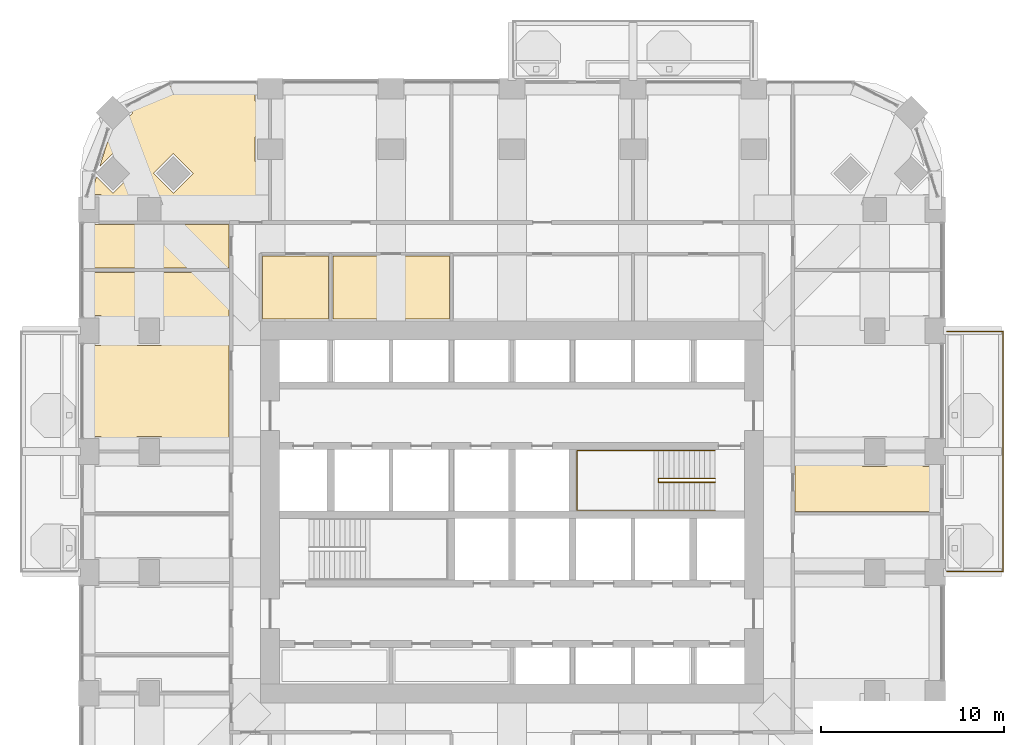
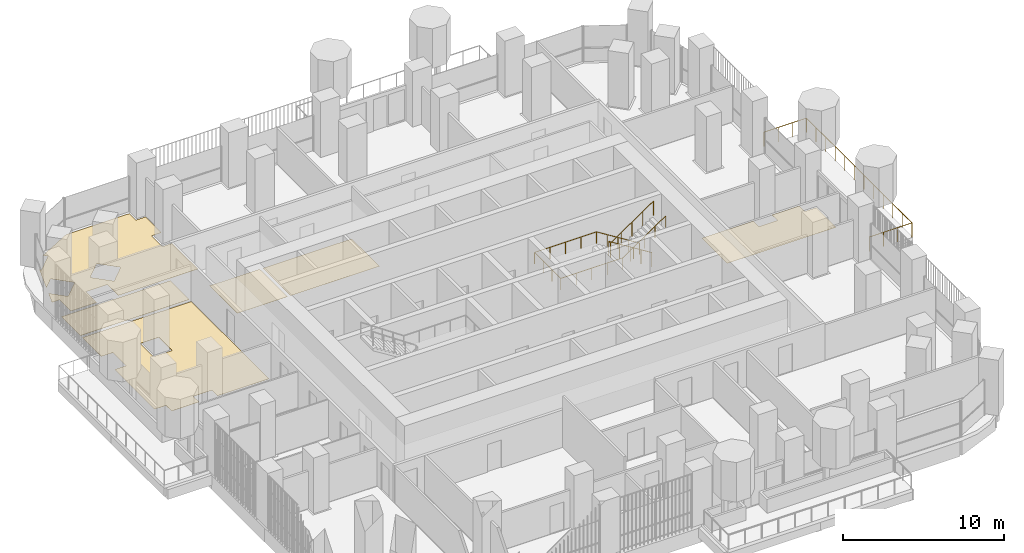
# One storey, part 21 of 23: 6 coverings, 3 railings.
"""IFC4 building model written with IfcOpenShell, lengths in metres."""

from ifc_helpers import new_model, si_unit, direction, frame, origin, place, context, subcontext, project, spatial, polyline, outline, extrude, material, layer, layer_set, type_object, element, save


model = new_model("IFC4")

# Units and contexts
model_context = context("Model", 3, precision=1e-05, world=origin(), true_north=direction((0.0, 1.0)))
body_context = subcontext(model_context, "Body", "Model", "MODEL_VIEW")
ifc_project = project(units=[si_unit("LENGTHUNIT", "METRE"), si_unit("AREAUNIT", "SQUARE_METRE"), si_unit("VOLUMEUNIT", "CUBIC_METRE"), si_unit("PLANEANGLEUNIT", "RADIAN"), si_unit("MASSUNIT", "GRAM", prefix="KILO")], contexts=[model_context])

# Site, building, storey
site_placement = place(None, origin())
site = spatial("IfcSite", under=ifc_project, at=site_placement, CompositionType="ELEMENT")
building_placement = place(site_placement, origin())
building = spatial("IfcBuilding", under=site, at=building_placement, Name="Cobogo Forest Laboratory Tower", CompositionType="ELEMENT")
storey_placement = place(building_placement, frame((0.0, 0.0, 128.39990234375)))
storey = spatial("IfcBuildingStorey", under=building, at=storey_placement, Name="L29", CompositionType="ELEMENT", Elevation=128.39990234375)

# Railing
ifc_material_1 = material(Name="Laminated glass balustrade", Category="glass")
railing_type_1 = type_object("IfcRailingType", Name="BG1 glass balustrade 1100", PredefinedType="GUARDRAIL", material=ifc_material_1)
railing_1_placement = place(storey_placement, frame((50.14990234375, 19.85009765625, 0.0)))
element("IfcRailing", 1, at=railing_1_placement, inside=storey, type_object=railing_type_1, Name="Balcony balustrade BAL-E1 L29", PredefinedType="GUARDRAIL", context=body_context, shape_type="SweptSolid", body=[
    extrude(outline(polyline([(0.022216796875, 0.00927734375), (0.00927734375, 0.022216796875), (-0.00927734375, 0.022216796875), (-0.022216796875, 0.00927734375), (-0.022216796875, -0.00927734375), (-0.00927734375, -0.022216796875), (0.00927734375, -0.022216796875), (0.022216796875, -0.00927734375), (0.022216796875, 0.00927734375)])), frame((0.0, 0.0, 1.077880859375), z_axis=(1.0, 0.0, 0.0), x_axis=(0.0, 1.0, 0.0)), (0.0, 0.0, 1.0), 3.050048828125),
    extrude(outline(polyline([(0.022216796875, 0.00927734375), (0.00927734375, 0.022216796875), (-0.00927734375, 0.022216796875), (-0.022216796875, 0.00927734375), (-0.022216796875, -0.00927734375), (-0.00927734375, -0.022216796875), (0.00927734375, -0.022216796875), (0.022216796875, -0.00927734375), (0.022216796875, 0.00927734375)])), frame((3.050048828125, 0.0, 1.077880859375), z_axis=(0.0, 1.0, 0.0), x_axis=(-1.0, 0.0, 0.0)), (0.0, 0.0, 1.0), 13.099853515625),
    extrude(outline(polyline([(0.022216796875, 0.00927734375), (0.00927734375, 0.022216796875), (-0.00927734375, 0.022216796875), (-0.022216796875, 0.00927734375), (-0.022216796875, -0.00927734375), (-0.00927734375, -0.022216796875), (0.00927734375, -0.022216796875), (0.022216796875, -0.00927734375), (0.022216796875, 0.00927734375)])), frame((3.050048828125, 13.099853515625, 1.077880859375), z_axis=(-1.0, 0.0, 0.0), x_axis=(0.0, -1.0, 0.0)), (0.0, 0.0, 1.0), 3.050048828125),
    extrude(outline(polyline([(0.019287109375, 0.008056640625), (0.008056640625, 0.019287109375), (-0.008056640625, 0.019287109375), (-0.019287109375, 0.008056640625), (-0.019287109375, -0.008056640625), (-0.008056640625, -0.019287109375), (0.008056640625, -0.019287109375), (0.019287109375, -0.008056640625), (0.019287109375, 0.008056640625)])), origin(), (0.0, 0.0, 1.0), 1.077880859375),
    extrude(outline(polyline([(0.019287109375, 0.008056640625), (0.008056640625, 0.019287109375), (-0.008056640625, 0.019287109375), (-0.019287109375, 0.008056640625), (-0.019287109375, -0.008056640625), (-0.008056640625, -0.019287109375), (0.008056640625, -0.019287109375), (0.019287109375, -0.008056640625), (0.019287109375, 0.008056640625)])), frame((1.0166015625, 0.0, 0.0)), (0.0, 0.0, 1.0), 1.077880859375),
    extrude(outline(polyline([(0.019287109375, 0.008056640625), (0.008056640625, 0.019287109375), (-0.008056640625, 0.019287109375), (-0.019287109375, 0.008056640625), (-0.019287109375, -0.008056640625), (-0.008056640625, -0.019287109375), (0.008056640625, -0.019287109375), (0.019287109375, -0.008056640625), (0.019287109375, 0.008056640625)])), frame((2.033447265625, 0.0, 0.0)), (0.0, 0.0, 1.0), 1.077880859375),
    extrude(outline(polyline([(0.019287109375, 0.008056640625), (0.008056640625, 0.019287109375), (-0.008056640625, 0.019287109375), (-0.019287109375, 0.008056640625), (-0.019287109375, -0.008056640625), (-0.008056640625, -0.019287109375), (0.008056640625, -0.019287109375), (0.019287109375, -0.008056640625), (0.019287109375, 0.008056640625)])), frame((3.050048828125, 0.0, 0.0)), (0.0, 0.0, 1.0), 1.077880859375),
    extrude(outline(polyline([(0.019287109375, 0.008056640625), (0.008056640625, 0.019287109375), (-0.008056640625, 0.019287109375), (-0.019287109375, 0.008056640625), (-0.019287109375, -0.008056640625), (-0.008056640625, -0.019287109375), (0.008056640625, -0.019287109375), (0.019287109375, -0.008056640625), (0.019287109375, 0.008056640625)])), frame((3.050048828125, 1.19091796875, 0.0)), (0.0, 0.0, 1.0), 1.077880859375),
    extrude(outline(polyline([(0.019287109375, 0.008056640625), (0.008056640625, 0.019287109375), (-0.008056640625, 0.019287109375), (-0.019287109375, 0.008056640625), (-0.019287109375, -0.008056640625), (-0.008056640625, -0.019287109375), (0.008056640625, -0.019287109375), (0.019287109375, -0.008056640625), (0.019287109375, 0.008056640625)])), frame((3.050048828125, 2.3818359375, 0.0)), (0.0, 0.0, 1.0), 1.077880859375),
    extrude(outline(polyline([(0.019287109375, 0.008056640625), (0.008056640625, 0.019287109375), (-0.008056640625, 0.019287109375), (-0.019287109375, 0.008056640625), (-0.019287109375, -0.008056640625), (-0.008056640625, -0.019287109375), (0.008056640625, -0.019287109375), (0.019287109375, -0.008056640625), (0.019287109375, 0.008056640625)])), frame((3.050048828125, 3.57275390625, 0.0)), (0.0, 0.0, 1.0), 1.077880859375),
    extrude(outline(polyline([(0.019287109375, 0.008056640625), (0.008056640625, 0.019287109375), (-0.008056640625, 0.019287109375), (-0.019287109375, 0.008056640625), (-0.019287109375, -0.008056640625), (-0.008056640625, -0.019287109375), (0.008056640625, -0.019287109375), (0.019287109375, -0.008056640625), (0.019287109375, 0.008056640625)])), frame((3.050048828125, 4.763671875, 0.0)), (0.0, 0.0, 1.0), 1.077880859375),
    extrude(outline(polyline([(0.019287109375, 0.008056640625), (0.008056640625, 0.019287109375), (-0.008056640625, 0.019287109375), (-0.019287109375, 0.008056640625), (-0.019287109375, -0.008056640625), (-0.008056640625, -0.019287109375), (0.008056640625, -0.019287109375), (0.019287109375, -0.008056640625), (0.019287109375, 0.008056640625)])), frame((3.050048828125, 5.95458984375, 0.0)), (0.0, 0.0, 1.0), 1.077880859375),
    extrude(outline(polyline([(0.019287109375, 0.008056640625), (0.008056640625, 0.019287109375), (-0.008056640625, 0.019287109375), (-0.019287109375, 0.008056640625), (-0.019287109375, -0.008056640625), (-0.008056640625, -0.019287109375), (0.008056640625, -0.019287109375), (0.019287109375, -0.008056640625), (0.019287109375, 0.008056640625)])), frame((3.050048828125, 7.145263671875, 0.0)), (0.0, 0.0, 1.0), 1.077880859375),
    extrude(outline(polyline([(0.019287109375, 0.008056640625), (0.008056640625, 0.019287109375), (-0.008056640625, 0.019287109375), (-0.019287109375, 0.008056640625), (-0.019287109375, -0.008056640625), (-0.008056640625, -0.019287109375), (0.008056640625, -0.019287109375), (0.019287109375, -0.008056640625), (0.019287109375, 0.008056640625)])), frame((3.050048828125, 8.336181640625, 0.0)), (0.0, 0.0, 1.0), 1.077880859375),
    extrude(outline(polyline([(0.019287109375, 0.008056640625), (0.008056640625, 0.019287109375), (-0.008056640625, 0.019287109375), (-0.019287109375, 0.008056640625), (-0.019287109375, -0.008056640625), (-0.008056640625, -0.019287109375), (0.008056640625, -0.019287109375), (0.019287109375, -0.008056640625), (0.019287109375, 0.008056640625)])), frame((3.050048828125, 9.527099609375, 0.0)), (0.0, 0.0, 1.0), 1.077880859375),
    extrude(outline(polyline([(0.019287109375, 0.008056640625), (0.008056640625, 0.019287109375), (-0.008056640625, 0.019287109375), (-0.019287109375, 0.008056640625), (-0.019287109375, -0.008056640625), (-0.008056640625, -0.019287109375), (0.008056640625, -0.019287109375), (0.019287109375, -0.008056640625), (0.019287109375, 0.008056640625)])), frame((3.050048828125, 10.718017578125, 0.0)), (0.0, 0.0, 1.0), 1.077880859375),
    extrude(outline(polyline([(0.019287109375, 0.008056640625), (0.008056640625, 0.019287109375), (-0.008056640625, 0.019287109375), (-0.019287109375, 0.008056640625), (-0.019287109375, -0.008056640625), (-0.008056640625, -0.019287109375), (0.008056640625, -0.019287109375), (0.019287109375, -0.008056640625), (0.019287109375, 0.008056640625)])), frame((3.050048828125, 11.908935546875, 0.0)), (0.0, 0.0, 1.0), 1.077880859375),
    extrude(outline(polyline([(0.019287109375, 0.008056640625), (0.008056640625, 0.019287109375), (-0.008056640625, 0.019287109375), (-0.019287109375, 0.008056640625), (-0.019287109375, -0.008056640625), (-0.008056640625, -0.019287109375), (0.008056640625, -0.019287109375), (0.019287109375, -0.008056640625), (0.019287109375, 0.008056640625)])), frame((3.050048828125, 13.099853515625, 0.0)), (0.0, 0.0, 1.0), 1.077880859375),
    extrude(outline(polyline([(0.019287109375, 0.008056640625), (0.008056640625, 0.019287109375), (-0.008056640625, 0.019287109375), (-0.019287109375, 0.008056640625), (-0.019287109375, -0.008056640625), (-0.008056640625, -0.019287109375), (0.008056640625, -0.019287109375), (0.019287109375, -0.008056640625), (0.019287109375, 0.008056640625)])), frame((2.033447265625, 13.099853515625, 0.0)), (0.0, 0.0, 1.0), 1.077880859375),
    extrude(outline(polyline([(0.019287109375, 0.008056640625), (0.008056640625, 0.019287109375), (-0.008056640625, 0.019287109375), (-0.019287109375, 0.008056640625), (-0.019287109375, -0.008056640625), (-0.008056640625, -0.019287109375), (0.008056640625, -0.019287109375), (0.019287109375, -0.008056640625), (0.019287109375, 0.008056640625)])), frame((1.0166015625, 13.099853515625, 0.0)), (0.0, 0.0, 1.0), 1.077880859375),
    extrude(outline(polyline([(0.019287109375, 0.008056640625), (0.008056640625, 0.019287109375), (-0.008056640625, 0.019287109375), (-0.019287109375, 0.008056640625), (-0.019287109375, -0.008056640625), (-0.008056640625, -0.019287109375), (0.008056640625, -0.019287109375), (0.019287109375, -0.008056640625), (0.019287109375, 0.008056640625)])), frame((0.0, 13.099853515625, 0.0)), (0.0, 0.0, 1.0), 1.077880859375),
])

# Coverings
ifc_material_2 = material(Name="Carpet tile on raised access floor", Category="flooring")
ifc_layer_1 = layer(ifc_material_2, 0.008056640625)
ifc_layer_set_1 = layer_set([ifc_layer_1], Name="CT1 carpet tile floor 8")
covering_type_1 = type_object("IfcCoveringType", Name="CT1 carpet tile floor 8", PredefinedType="FLOORING", material=ifc_layer_set_1)
covering_1_placement = place(storey_placement, origin())
element("IfcCovering", 2, at=covering_1_placement, inside=storey, type_object=covering_type_1, Name="Carpet floor L29-28", PredefinedType="FLOORING", context=body_context, shape_type="SweptSolid", body=[
    extrude(outline(polyline([(10.955078125, 26.52001953125), (7.27001953125, 26.52001953125), (7.27001953125, 27.219970703125), (5.929931640625, 27.219970703125), (5.929931640625, 26.52001953125), (3.969970703125, 26.52001953125), (3.969970703125, 27.219970703125), (3.14990234375, 27.219970703125), (3.14990234375, 32.179931640625), (3.969970703125, 32.179931640625), (3.969970703125, 33.820068359375), (3.14990234375, 33.820068359375), (3.14990234375, 36.179931640625), (10.955078125, 36.179931640625), (10.955078125, 26.52001953125)]), holes=[polyline([(5.929931640625, 32.179931640625), (7.27001953125, 32.179931640625), (7.27001953125, 33.820068359375), (5.929931640625, 33.820068359375), (5.929931640625, 32.179931640625)])]), origin(), (0.0, 0.0, 1.0), 0.008056640625),
])
covering_2_placement = place(storey_placement, origin())
element("IfcCovering", 3, at=covering_2_placement, inside=storey, type_object=covering_type_1, Name="Carpet floor L29-29", PredefinedType="FLOORING", context=body_context, shape_type="SweptSolid", body=[
    extrude(outline(polyline([(10.955078125, 36.419921875), (3.14990234375, 36.419921875), (3.14990234375, 38.780029296875), (10.955078125, 38.780029296875), (10.955078125, 36.419921875)])), origin(), (0.0, 0.0, 1.0), 0.008056640625),
])

# Railings
ifc_material_3 = material(Name="Steel balustrade", Category="steel")
railing_type_2 = type_object("IfcRailingType", Name="GR stair guard 1100", PredefinedType="GUARDRAIL", material=ifc_material_3)
railing_2_placement = place(storey_placement, frame((37.47509765625, 24.929931640625, 0.175048828125)))
element("IfcRailing", 4, at=railing_2_placement, inside=storey, type_object=railing_type_2, Name="Stair guard ST2 L29", PredefinedType="GUARDRAIL", context=body_context, shape_type="SweptSolid", body=[
    extrude(outline(polyline([(0.022216796875, 0.00927734375), (0.00927734375, 0.022216796875), (-0.00927734375, 0.022216796875), (-0.022216796875, 0.00927734375), (-0.022216796875, -0.00927734375), (-0.00927734375, -0.022216796875), (0.00927734375, -0.022216796875), (0.022216796875, -0.00927734375), (0.022216796875, 0.00927734375)])), frame((0.0, 0.0, 1.077880859375), z_axis=(-0.847998304005, 0.0, 0.529998940003), x_axis=(0.0, -1.0, 0.0)), (0.0, 0.0, 1.0), 3.632080078125),
    extrude(outline(polyline([(0.022216796875, 0.00927734375), (0.00927734375, 0.022216796875), (-0.00927734375, 0.022216796875), (-0.022216796875, 0.00927734375), (-0.022216796875, -0.00927734375), (-0.00927734375, -0.022216796875), (0.00927734375, -0.022216796875), (0.022216796875, -0.00927734375), (0.022216796875, 0.00927734375)])), frame((-3.080078125, 0.0, 3.0029296875), z_axis=(0.0, -1.0, 0.0), x_axis=(1.0, 0.0, 0.0)), (0.0, 0.0, 1.0), 0.2099609375),
    extrude(outline(polyline([(0.022216796875, 0.00927734375), (0.00927734375, 0.022216796875), (-0.00927734375, 0.022216796875), (-0.022216796875, 0.00927734375), (-0.022216796875, -0.00927734375), (-0.00927734375, -0.022216796875), (0.00927734375, -0.022216796875), (0.022216796875, -0.00927734375), (0.022216796875, 0.00927734375)])), frame((-3.080078125, -0.2099609375, 3.0029296875), z_axis=(0.826221800596, 0.0, 0.563344953133), x_axis=(0.0, 1.0, 0.0)), (0.0, 0.0, 1.0), 3.72802734375),
    extrude(outline(polyline([(0.019287109375, 0.008056640625), (0.008056640625, 0.019287109375), (-0.008056640625, 0.019287109375), (-0.019287109375, 0.008056640625), (-0.019287109375, -0.008056640625), (-0.008056640625, -0.019287109375), (0.008056640625, -0.019287109375), (0.019287109375, -0.008056640625), (0.019287109375, 0.008056640625)])), origin(), (0.0, 0.0, 1.0), 1.077880859375),
    extrude(outline(polyline([(0.019287109375, 0.008056640625), (0.008056640625, 0.019287109375), (-0.008056640625, 0.019287109375), (-0.019287109375, 0.008056640625), (-0.019287109375, -0.008056640625), (-0.008056640625, -0.019287109375), (0.008056640625, -0.019287109375), (0.019287109375, -0.008056640625), (0.019287109375, 0.008056640625)])), frame((-0.77001953125, 0.0, 0.481201171875)), (0.0, 0.0, 1.0), 1.077880859375),
    extrude(outline(polyline([(0.019287109375, 0.008056640625), (0.008056640625, 0.019287109375), (-0.008056640625, 0.019287109375), (-0.019287109375, 0.008056640625), (-0.019287109375, -0.008056640625), (-0.008056640625, -0.019287109375), (0.008056640625, -0.019287109375), (0.019287109375, -0.008056640625), (0.019287109375, 0.008056640625)])), frame((-1.5400390625, 0.0, 0.96240234375)), (0.0, 0.0, 1.0), 1.077880859375),
    extrude(outline(polyline([(0.019287109375, 0.008056640625), (0.008056640625, 0.019287109375), (-0.008056640625, 0.019287109375), (-0.019287109375, 0.008056640625), (-0.019287109375, -0.008056640625), (-0.008056640625, -0.019287109375), (0.008056640625, -0.019287109375), (0.019287109375, -0.008056640625), (0.019287109375, 0.008056640625)])), frame((-2.31005859375, 0.0, 1.44384765625)), (0.0, 0.0, 1.0), 1.077880859375),
    extrude(outline(polyline([(0.019287109375, 0.008056640625), (0.008056640625, 0.019287109375), (-0.008056640625, 0.019287109375), (-0.019287109375, 0.008056640625), (-0.019287109375, -0.008056640625), (-0.008056640625, -0.019287109375), (0.008056640625, -0.019287109375), (0.019287109375, -0.008056640625), (0.019287109375, 0.008056640625)])), frame((-3.080078125, 0.0, 1.925048828125)), (0.0, 0.0, 1.0), 1.077880859375),
    extrude(outline(polyline([(0.019287109375, 0.008056640625), (0.008056640625, 0.019287109375), (-0.008056640625, 0.019287109375), (-0.019287109375, 0.008056640625), (-0.019287109375, -0.008056640625), (-0.008056640625, -0.019287109375), (0.008056640625, -0.019287109375), (0.019287109375, -0.008056640625), (0.019287109375, 0.008056640625)])), frame((-3.080078125, -0.2099609375, 1.925048828125)), (0.0, 0.0, 1.0), 1.077880859375),
    extrude(outline(polyline([(0.019287109375, 0.008056640625), (0.008056640625, 0.019287109375), (-0.008056640625, 0.019287109375), (-0.019287109375, 0.008056640625), (-0.019287109375, -0.008056640625), (-0.008056640625, -0.019287109375), (0.008056640625, -0.019287109375), (0.019287109375, -0.008056640625), (0.019287109375, 0.008056640625)])), frame((-2.31005859375, -0.2099609375, 2.4501953125)), (0.0, 0.0, 1.0), 1.077880859375),
    extrude(outline(polyline([(0.019287109375, 0.008056640625), (0.008056640625, 0.019287109375), (-0.008056640625, 0.019287109375), (-0.019287109375, 0.008056640625), (-0.019287109375, -0.008056640625), (-0.008056640625, -0.019287109375), (0.008056640625, -0.019287109375), (0.019287109375, -0.008056640625), (0.019287109375, 0.008056640625)])), frame((-1.5400390625, -0.2099609375, 2.97509765625)), (0.0, 0.0, 1.0), 1.077880859375),
    extrude(outline(polyline([(0.019287109375, 0.008056640625), (0.008056640625, 0.019287109375), (-0.008056640625, 0.019287109375), (-0.019287109375, 0.008056640625), (-0.019287109375, -0.008056640625), (-0.008056640625, -0.019287109375), (0.008056640625, -0.019287109375), (0.019287109375, -0.008056640625), (0.019287109375, 0.008056640625)])), frame((-0.77001953125, -0.2099609375, 3.5)), (0.0, 0.0, 1.0), 1.077880859375),
    extrude(outline(polyline([(0.019287109375, 0.008056640625), (0.008056640625, 0.019287109375), (-0.008056640625, 0.019287109375), (-0.019287109375, 0.008056640625), (-0.019287109375, -0.008056640625), (-0.008056640625, -0.019287109375), (0.008056640625, -0.019287109375), (0.019287109375, -0.008056640625), (0.019287109375, 0.008056640625)])), frame((0.0, -0.2099609375, 4.025146484375)), (0.0, 0.0, 1.0), 1.077880859375),
])
ifc_material_4 = material(Name="Stainless steel handrail", Category="steel")
railing_type_3 = type_object("IfcRailingType", Name="HR handrail 900", PredefinedType="HANDRAIL", material=ifc_material_4)
railing_3_placement = place(storey_placement, frame((37.47509765625, 26.449951171875, 0.175048828125)))
element("IfcRailing", 5, at=railing_3_placement, inside=storey, type_object=railing_type_3, Name="Stair handrail ST2 L29", PredefinedType="HANDRAIL", context=body_context, shape_type="SweptSolid", body=[
    extrude(outline(polyline([(0.022216796875, 0.00927734375), (0.00927734375, 0.022216796875), (-0.00927734375, 0.022216796875), (-0.022216796875, 0.00927734375), (-0.022216796875, -0.00927734375), (-0.00927734375, -0.022216796875), (0.00927734375, -0.022216796875), (0.022216796875, -0.00927734375), (0.022216796875, 0.00927734375)])), frame((0.0, 0.0, 0.877685546875), z_axis=(-0.847998304005, 0.0, 0.529998940003), x_axis=(0.0, -1.0, 0.0)), (0.0, 0.0, 1.0), 3.632080078125),
    extrude(outline(polyline([(0.022216796875, 0.00927734375), (0.00927734375, 0.022216796875), (-0.00927734375, 0.022216796875), (-0.022216796875, 0.00927734375), (-0.022216796875, -0.00927734375), (-0.00927734375, -0.022216796875), (0.00927734375, -0.022216796875), (0.022216796875, -0.00927734375), (0.022216796875, 0.00927734375)])), frame((-3.080078125, 0.0, 2.802734375), z_axis=(-1.0, 0.0, 0.0), x_axis=(0.0, -1.0, 0.0)), (0.0, 0.0, 1.0), 4.445068359375),
    extrude(outline(polyline([(0.022216796875, 0.00927734375), (0.00927734375, 0.022216796875), (-0.00927734375, 0.022216796875), (-0.022216796875, 0.00927734375), (-0.022216796875, -0.00927734375), (-0.00927734375, -0.022216796875), (0.00927734375, -0.022216796875), (0.022216796875, -0.00927734375), (0.022216796875, 0.00927734375)])), frame((-7.525146484375, 0.0, 2.802734375), z_axis=(0.0, -1.0, 0.0), x_axis=(1.0, 0.0, 0.0)), (0.0, 0.0, 1.0), 3.25),
    extrude(outline(polyline([(0.022216796875, 0.00927734375), (0.00927734375, 0.022216796875), (-0.00927734375, 0.022216796875), (-0.022216796875, 0.00927734375), (-0.022216796875, -0.00927734375), (-0.00927734375, -0.022216796875), (0.00927734375, -0.022216796875), (0.022216796875, -0.00927734375), (0.022216796875, 0.00927734375)])), frame((-7.525146484375, -3.25, 2.802734375), z_axis=(1.0, 0.0, 0.0), x_axis=(0.0, 1.0, 0.0)), (0.0, 0.0, 1.0), 4.445068359375),
    extrude(outline(polyline([(0.022216796875, 0.00927734375), (0.00927734375, 0.022216796875), (-0.00927734375, 0.022216796875), (-0.022216796875, 0.00927734375), (-0.022216796875, -0.00927734375), (-0.00927734375, -0.022216796875), (0.00927734375, -0.022216796875), (0.022216796875, -0.00927734375), (0.022216796875, 0.00927734375)])), frame((-3.080078125, -3.25, 2.802734375), z_axis=(0.826221800596, 0.0, 0.563344953133), x_axis=(0.0, 1.0, 0.0)), (0.0, 0.0, 1.0), 3.72802734375),
    extrude(outline(polyline([(0.019287109375, 0.008056640625), (0.008056640625, 0.019287109375), (-0.008056640625, 0.019287109375), (-0.019287109375, 0.008056640625), (-0.019287109375, -0.008056640625), (-0.008056640625, -0.019287109375), (0.008056640625, -0.019287109375), (0.019287109375, -0.008056640625), (0.019287109375, 0.008056640625)])), origin(), (0.0, 0.0, 1.0), 0.877685546875),
    extrude(outline(polyline([(0.019287109375, 0.008056640625), (0.008056640625, 0.019287109375), (-0.008056640625, 0.019287109375), (-0.019287109375, 0.008056640625), (-0.019287109375, -0.008056640625), (-0.008056640625, -0.019287109375), (0.008056640625, -0.019287109375), (0.019287109375, -0.008056640625), (0.019287109375, 0.008056640625)])), frame((-0.77001953125, 0.0, 0.481201171875)), (0.0, 0.0, 1.0), 0.877685546875),
    extrude(outline(polyline([(0.019287109375, 0.008056640625), (0.008056640625, 0.019287109375), (-0.008056640625, 0.019287109375), (-0.019287109375, 0.008056640625), (-0.019287109375, -0.008056640625), (-0.008056640625, -0.019287109375), (0.008056640625, -0.019287109375), (0.019287109375, -0.008056640625), (0.019287109375, 0.008056640625)])), frame((-1.5400390625, 0.0, 0.96240234375)), (0.0, 0.0, 1.0), 0.877685546875),
    extrude(outline(polyline([(0.019287109375, 0.008056640625), (0.008056640625, 0.019287109375), (-0.008056640625, 0.019287109375), (-0.019287109375, 0.008056640625), (-0.019287109375, -0.008056640625), (-0.008056640625, -0.019287109375), (0.008056640625, -0.019287109375), (0.019287109375, -0.008056640625), (0.019287109375, 0.008056640625)])), frame((-2.31005859375, 0.0, 1.44384765625)), (0.0, 0.0, 1.0), 0.877685546875),
    extrude(outline(polyline([(0.019287109375, 0.008056640625), (0.008056640625, 0.019287109375), (-0.008056640625, 0.019287109375), (-0.019287109375, 0.008056640625), (-0.019287109375, -0.008056640625), (-0.008056640625, -0.019287109375), (0.008056640625, -0.019287109375), (0.019287109375, -0.008056640625), (0.019287109375, 0.008056640625)])), frame((-3.080078125, 0.0, 1.925048828125)), (0.0, 0.0, 1.0), 0.877685546875),
    extrude(outline(polyline([(0.019287109375, 0.008056640625), (0.008056640625, 0.019287109375), (-0.008056640625, 0.019287109375), (-0.019287109375, 0.008056640625), (-0.019287109375, -0.008056640625), (-0.008056640625, -0.019287109375), (0.008056640625, -0.019287109375), (0.019287109375, -0.008056640625), (0.019287109375, 0.008056640625)])), frame((-4.19140625, 0.0, 1.925048828125)), (0.0, 0.0, 1.0), 0.877685546875),
    extrude(outline(polyline([(0.019287109375, 0.008056640625), (0.008056640625, 0.019287109375), (-0.008056640625, 0.019287109375), (-0.019287109375, 0.008056640625), (-0.019287109375, -0.008056640625), (-0.008056640625, -0.019287109375), (0.008056640625, -0.019287109375), (0.019287109375, -0.008056640625), (0.019287109375, 0.008056640625)])), frame((-5.302734375, 0.0, 1.925048828125)), (0.0, 0.0, 1.0), 0.877685546875),
    extrude(outline(polyline([(0.019287109375, 0.008056640625), (0.008056640625, 0.019287109375), (-0.008056640625, 0.019287109375), (-0.019287109375, 0.008056640625), (-0.019287109375, -0.008056640625), (-0.008056640625, -0.019287109375), (0.008056640625, -0.019287109375), (0.019287109375, -0.008056640625), (0.019287109375, 0.008056640625)])), frame((-6.413818359375, 0.0, 1.925048828125)), (0.0, 0.0, 1.0), 0.877685546875),
    extrude(outline(polyline([(0.019287109375, 0.008056640625), (0.008056640625, 0.019287109375), (-0.008056640625, 0.019287109375), (-0.019287109375, 0.008056640625), (-0.019287109375, -0.008056640625), (-0.008056640625, -0.019287109375), (0.008056640625, -0.019287109375), (0.019287109375, -0.008056640625), (0.019287109375, 0.008056640625)])), frame((-7.525146484375, 0.0, 1.925048828125)), (0.0, 0.0, 1.0), 0.877685546875),
    extrude(outline(polyline([(0.019287109375, 0.008056640625), (0.008056640625, 0.019287109375), (-0.008056640625, 0.019287109375), (-0.019287109375, 0.008056640625), (-0.019287109375, -0.008056640625), (-0.008056640625, -0.019287109375), (0.008056640625, -0.019287109375), (0.019287109375, -0.008056640625), (0.019287109375, 0.008056640625)])), frame((-7.525146484375, -1.083251953125, 1.925048828125)), (0.0, 0.0, 1.0), 0.877685546875),
    extrude(outline(polyline([(0.019287109375, 0.008056640625), (0.008056640625, 0.019287109375), (-0.008056640625, 0.019287109375), (-0.019287109375, 0.008056640625), (-0.019287109375, -0.008056640625), (-0.008056640625, -0.019287109375), (0.008056640625, -0.019287109375), (0.019287109375, -0.008056640625), (0.019287109375, 0.008056640625)])), frame((-7.525146484375, -2.166748046875, 1.925048828125)), (0.0, 0.0, 1.0), 0.877685546875),
    extrude(outline(polyline([(0.019287109375, 0.008056640625), (0.008056640625, 0.019287109375), (-0.008056640625, 0.019287109375), (-0.019287109375, 0.008056640625), (-0.019287109375, -0.008056640625), (-0.008056640625, -0.019287109375), (0.008056640625, -0.019287109375), (0.019287109375, -0.008056640625), (0.019287109375, 0.008056640625)])), frame((-7.525146484375, -3.25, 1.925048828125)), (0.0, 0.0, 1.0), 0.877685546875),
    extrude(outline(polyline([(0.019287109375, 0.008056640625), (0.008056640625, 0.019287109375), (-0.008056640625, 0.019287109375), (-0.019287109375, 0.008056640625), (-0.019287109375, -0.008056640625), (-0.008056640625, -0.019287109375), (0.008056640625, -0.019287109375), (0.019287109375, -0.008056640625), (0.019287109375, 0.008056640625)])), frame((-6.413818359375, -3.25, 1.925048828125)), (0.0, 0.0, 1.0), 0.877685546875),
    extrude(outline(polyline([(0.019287109375, 0.008056640625), (0.008056640625, 0.019287109375), (-0.008056640625, 0.019287109375), (-0.019287109375, 0.008056640625), (-0.019287109375, -0.008056640625), (-0.008056640625, -0.019287109375), (0.008056640625, -0.019287109375), (0.019287109375, -0.008056640625), (0.019287109375, 0.008056640625)])), frame((-5.302734375, -3.25, 1.925048828125)), (0.0, 0.0, 1.0), 0.877685546875),
    extrude(outline(polyline([(0.019287109375, 0.008056640625), (0.008056640625, 0.019287109375), (-0.008056640625, 0.019287109375), (-0.019287109375, 0.008056640625), (-0.019287109375, -0.008056640625), (-0.008056640625, -0.019287109375), (0.008056640625, -0.019287109375), (0.019287109375, -0.008056640625), (0.019287109375, 0.008056640625)])), frame((-4.19140625, -3.25, 1.925048828125)), (0.0, 0.0, 1.0), 0.877685546875),
    extrude(outline(polyline([(0.019287109375, 0.008056640625), (0.008056640625, 0.019287109375), (-0.008056640625, 0.019287109375), (-0.019287109375, 0.008056640625), (-0.019287109375, -0.008056640625), (-0.008056640625, -0.019287109375), (0.008056640625, -0.019287109375), (0.019287109375, -0.008056640625), (0.019287109375, 0.008056640625)])), frame((-3.080078125, -3.25, 1.925048828125)), (0.0, 0.0, 1.0), 0.877685546875),
    extrude(outline(polyline([(0.019287109375, 0.008056640625), (0.008056640625, 0.019287109375), (-0.008056640625, 0.019287109375), (-0.019287109375, 0.008056640625), (-0.019287109375, -0.008056640625), (-0.008056640625, -0.019287109375), (0.008056640625, -0.019287109375), (0.019287109375, -0.008056640625), (0.019287109375, 0.008056640625)])), frame((-2.31005859375, -3.25, 2.4501953125)), (0.0, 0.0, 1.0), 0.877685546875),
    extrude(outline(polyline([(0.019287109375, 0.008056640625), (0.008056640625, 0.019287109375), (-0.008056640625, 0.019287109375), (-0.019287109375, 0.008056640625), (-0.019287109375, -0.008056640625), (-0.008056640625, -0.019287109375), (0.008056640625, -0.019287109375), (0.019287109375, -0.008056640625), (0.019287109375, 0.008056640625)])), frame((-1.5400390625, -3.25, 2.97509765625)), (0.0, 0.0, 1.0), 0.877685546875),
    extrude(outline(polyline([(0.019287109375, 0.008056640625), (0.008056640625, 0.019287109375), (-0.008056640625, 0.019287109375), (-0.019287109375, 0.008056640625), (-0.019287109375, -0.008056640625), (-0.008056640625, -0.019287109375), (0.008056640625, -0.019287109375), (0.019287109375, -0.008056640625), (0.019287109375, 0.008056640625)])), frame((-0.77001953125, -3.25, 3.5)), (0.0, 0.0, 1.0), 0.877685546875),
    extrude(outline(polyline([(0.019287109375, 0.008056640625), (0.008056640625, 0.019287109375), (-0.008056640625, 0.019287109375), (-0.019287109375, 0.008056640625), (-0.019287109375, -0.008056640625), (-0.008056640625, -0.019287109375), (0.008056640625, -0.019287109375), (0.019287109375, -0.008056640625), (0.019287109375, 0.008056640625)])), frame((0.0, -3.25, 4.025146484375)), (0.0, 0.0, 1.0), 0.877685546875),
])

# Coverings
ifc_material_5 = material(Name="Epoxy resin flooring", Category="flooring")
ifc_layer_2 = layer(ifc_material_5, 0.00390625)
ifc_layer_set_2 = layer_set([ifc_layer_2], Name="LF1 epoxy laboratory floor 4")
covering_type_2 = type_object("IfcCoveringType", Name="LF1 epoxy laboratory floor 4", PredefinedType="FLOORING", material=ifc_layer_set_2)
covering_3_placement = place(storey_placement, origin())
element("IfcCovering", 6, at=covering_3_placement, inside=storey, type_object=covering_type_2, Name="Epoxy laboratory floor L29-02", PredefinedType="FLOORING", context=body_context, shape_type="SweptSolid", body=[
    extrude(outline(polyline([(22.97998046875, 33.64501953125), (16.6201171875, 33.64501953125), (16.6201171875, 37.080078125), (22.97998046875, 37.080078125), (22.97998046875, 33.64501953125)])), origin(), (0.0, 0.0, 1.0), 0.004150390625),
])
covering_4_placement = place(storey_placement, origin())
element("IfcCovering", 7, at=covering_4_placement, inside=storey, type_object=covering_type_2, Name="Epoxy laboratory floor L29-19", PredefinedType="FLOORING", context=body_context, shape_type="SweptSolid", body=[
    extrude(outline(polyline([(3.72412109375, 41.386962890625), (4.617919921875, 40.492919921875), (5.70703125, 41.58203125), (4.617919921875, 42.6708984375), (3.904052734375, 41.95703125), (4.51611328125, 43.89501953125), (4.617919921875, 43.79296875), (5.70703125, 44.882080078125), (5.480712890625, 45.1083984375), (7.84912109375, 46.35009765625), (12.3798828125, 46.35009765625), (12.3798828125, 45.530029296875), (13.080078125, 45.530029296875), (13.080078125, 43.570068359375), (12.3798828125, 43.570068359375), (12.3798828125, 42.22998046875), (13.080078125, 42.22998046875), (13.080078125, 39.02001953125), (7.3701171875, 39.02001953125), (7.3701171875, 40.3701171875), (5.830078125, 40.3701171875), (5.830078125, 39.02001953125), (3.969970703125, 39.02001953125), (3.969970703125, 40.419921875), (3.418701171875, 40.419921875), (3.72412109375, 41.386962890625)]), holes=[polyline([(6.8291015625, 41.58203125), (7.91796875, 40.492919921875), (9.007080078125, 41.58203125), (7.91796875, 42.6708984375), (6.8291015625, 41.58203125)])]), origin(), (0.0, 0.0, 1.0), 0.004150390625),
])
ifc_material_6 = material(Name="Static-dissipative vinyl flooring", Category="flooring")
ifc_layer_3 = layer(ifc_material_6, 0.0029296875)
ifc_layer_set_3 = layer_set([ifc_layer_3], Name="SD1 static-dissipative vinyl floor 3")
covering_type_3 = type_object("IfcCoveringType", Name="SD1 static-dissipative vinyl floor 3", PredefinedType="FLOORING", material=ifc_layer_set_3)
covering_5_placement = place(storey_placement, origin())
element("IfcCovering", 8, at=covering_5_placement, inside=storey, type_object=covering_type_3, Name="Static-dissipative floor L29-16", PredefinedType="FLOORING", context=body_context, shape_type="SweptSolid", body=[
    extrude(outline(polyline([(41.844970703125, 26.280029296875), (45.530029296875, 26.280029296875), (45.530029296875, 25.580078125), (46.8701171875, 25.580078125), (46.8701171875, 26.280029296875), (48.830078125, 26.280029296875), (48.830078125, 25.580078125), (49.64990234375, 25.580078125), (49.64990234375, 23.1201171875), (41.844970703125, 23.1201171875), (41.844970703125, 26.280029296875)])), origin(), (0.0, 0.0, 1.0), 0.003173828125),
])
ifc_material_7 = material(Name="Ceramic floor tile", Category="flooring")
ifc_layer_4 = layer(ifc_material_7, 0.010009765625)
ifc_layer_set_4 = layer_set([ifc_layer_4], Name="TF1 ceramic tile floor 10")
covering_type_4 = type_object("IfcCoveringType", Name="TF1 ceramic tile floor 10", PredefinedType="FLOORING", material=ifc_layer_set_4)
covering_6_placement = place(storey_placement, origin())
element("IfcCovering", 9, at=covering_6_placement, inside=storey, type_object=covering_type_4, Name="Tile floor L29-01", PredefinedType="FLOORING", context=body_context, shape_type="SweptSolid", body=[
    extrude(outline(polyline([(16.3798828125, 33.64501953125), (12.794921875, 33.64501953125), (12.794921875, 37.080078125), (16.3798828125, 37.080078125), (16.3798828125, 33.64501953125)])), origin(), (0.0, 0.0, 1.0), 0.010009765625),
])

save(model, "model.ifc")
